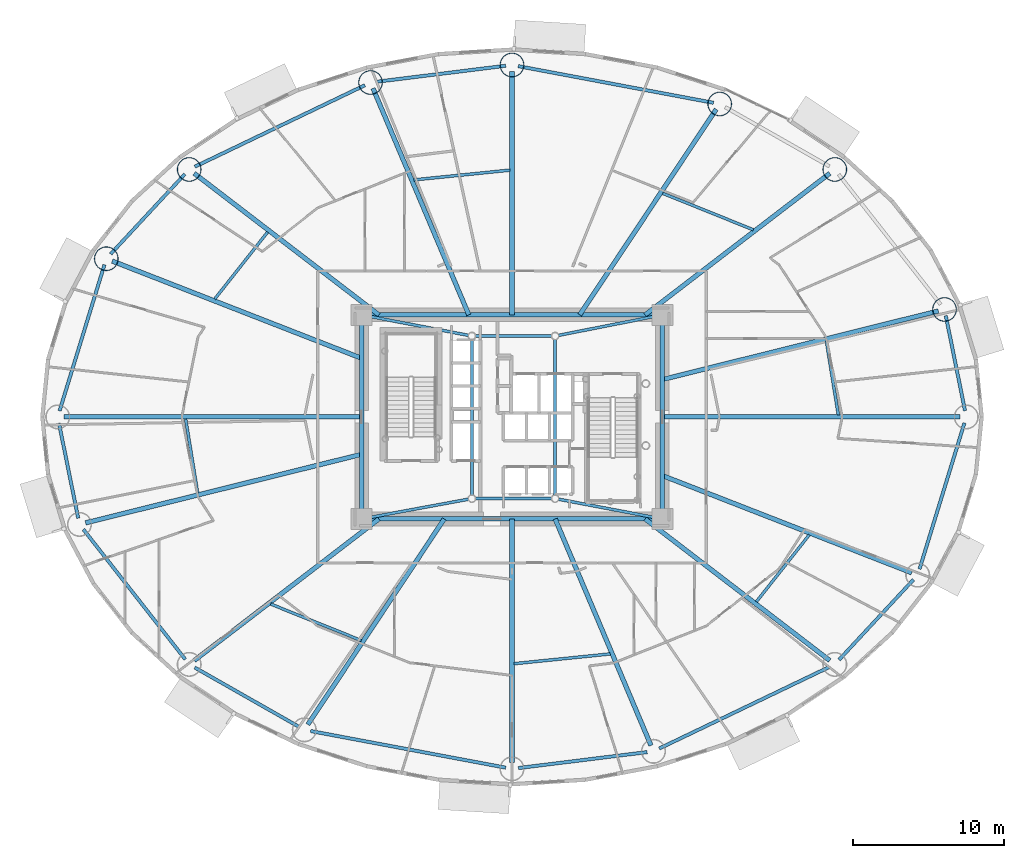
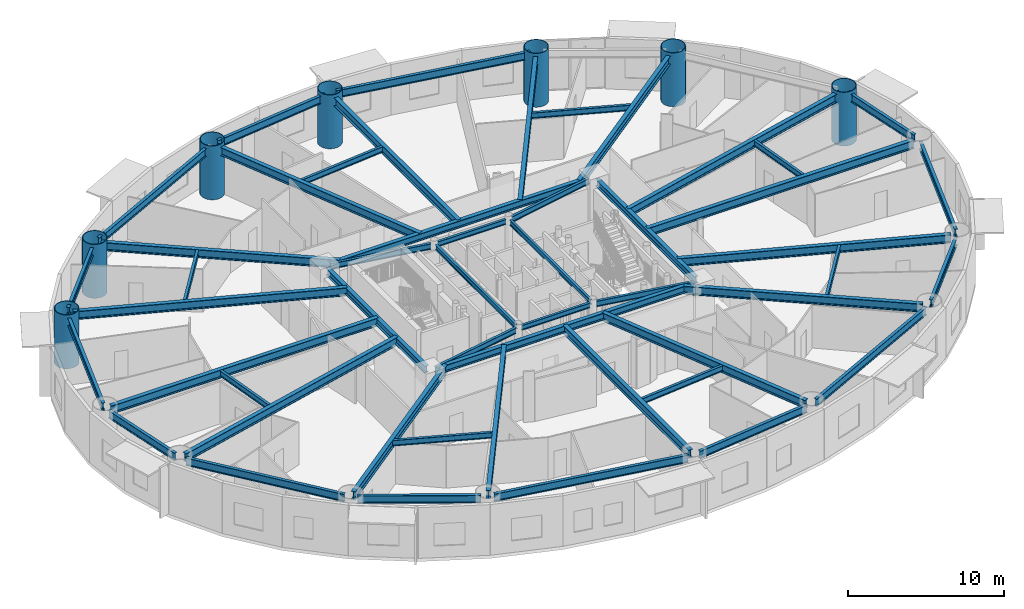
# One storey, part 3 of 21: 50 beams, 7 columns.
"""IFC4 building model written with IfcOpenShell, lengths in metres."""

from ifc_helpers import new_model, si_unit, direction, frame, origin, origin_2d, place, context, subcontext, project, spatial, hollow_circle, i_section, extrude, material, material_profile, profile_set, type_object, element, save


model = new_model("IFC4")

# Units and contexts
model_context = context("Model", 3, precision=1e-05, world=origin(), true_north=direction((0.0, 1.0)))
body_context = subcontext(model_context, "Body", "Model", "MODEL_VIEW")
ifc_project = project(units=[si_unit("LENGTHUNIT", "METRE"), si_unit("AREAUNIT", "SQUARE_METRE"), si_unit("VOLUMEUNIT", "CUBIC_METRE"), si_unit("PLANEANGLEUNIT", "RADIAN"), si_unit("MASSUNIT", "GRAM", prefix="KILO")], contexts=[model_context])

# Site, building, storey
site_placement = place(None, origin())
site = spatial("IfcSite", under=ifc_project, at=site_placement, CompositionType="ELEMENT")
building_placement = place(site_placement, origin())
building = spatial("IfcBuilding", under=site, at=building_placement, Name="Linh Dai School and Residence Tower", CompositionType="ELEMENT")
storey_placement = place(building_placement, frame((0.0, 0.0, 78.60009765625)))
storey = spatial("IfcBuildingStorey", under=building, at=storey_placement, Name="L18", CompositionType="ELEMENT", Elevation=78.60009765625)

# Columns
ifc_material = material(Name="Structural Steel S355JR", Category="steel")
ifc_material_profile_1 = material_profile(ifc_material, hollow_circle(Radius=0.800048828125, WallThickness=0.044921875, at=origin_2d()), Name="CHS 1600x45")
ifc_profile_set_1 = profile_set([ifc_material_profile_1], Name="Structural Steel S355JR")
column_type = type_object("IfcColumnType", Name="COL-MC2", PredefinedType="COLUMN", material=ifc_profile_set_1)
for number, where, z_axis, x_axis, name in (
    (1, (64.61083984375, 34.108642578125, 0.0), (0.0, 0.0, 1.0), (1.0, 0.0, 0.0), "L18 Perimeter CFT Mega-Column MC02"),
    (2, (57.352783203125, 43.369140625, 0.0), (0.0, 0.0, 1.0), (1.0, 0.0, 0.0), "L18 Perimeter CFT Mega-Column MC03"),
    (3, (49.73828125, 47.69921875, 0.0), (0.0, 0.0, 1.0), (1.0, 0.0, 0.0), "L18 Perimeter CFT Mega-Column MC04"),
    (4, (36.0, 50.280029296875, 0.0), (0.0, 0.0, 1.0), (1.0, 0.0, 0.0), "L18 Perimeter CFT Mega-Column MC05"),
    (5, (26.642333984375, 49.119873046875, 0.0), (0.0, 0.0, 1.0), (1.0, 0.0, 0.0), "L18 Perimeter CFT Mega-Column MC06"),
    (6, (14.647216796875, 43.369140625, 0.0), (0.0, 0.0, 1.0), (1.0, 0.0, 0.0), "L18 Perimeter CFT Mega-Column MC07"),
    (7, (9.16455078125, 37.4638671875, 0.0), (0.0, 0.0, 1.0), (1.0, 0.0, 0.0), "L18 Perimeter CFT Mega-Column MC08"),
):
    element("IfcColumn", number, at=place(storey_placement, frame(where, z_axis=z_axis, x_axis=x_axis)), inside=storey, type_object=column_type, Name=name, PredefinedType="COLUMN", context=body_context, shape_type="SweptSolid", body=[
        extrude(hollow_circle(Radius=0.800048828125, WallThickness=0.044921875, at=origin_2d()), origin(), (0.0, 0.0, 1.0), 4.199951171875),
    ])

# Beams
ifc_material_profile_2 = material_profile(ifc_material, i_section(OverallWidth=0.219970703125, OverallDepth=0.60009765625, WebThickness=0.011962890625, FlangeThickness=0.01904296875, FilletRadius=0.02392578125, at=origin_2d()), Name="IPE 600")
ifc_profile_set_2 = profile_set([ifc_material_profile_2], Name="Structural Steel S355JR")
beam_type_1 = type_object("IfcBeamType", Name="BM-RB60", PredefinedType="BEAM", material=ifc_profile_set_2)
beam_1_placement = place(storey_placement, frame((65.966552734375, 27.41162109375, 3.64990234375), z_axis=(-0.198429171022, 0.980115230005, 0.0), x_axis=(-0.980115230005, -0.198429171022, 0.0)))
element("IfcBeam", 8, at=beam_1_placement, inside=storey, type_object=beam_type_1, Name="L18 Perimeter Elliptical Ring Beam 01", PredefinedType="BEAM", context=body_context, shape_type="SweptSolid", body=[
    extrude(i_section(OverallWidth=0.219970703125, OverallDepth=0.60009765625, WebThickness=0.011962890625, FlangeThickness=0.01904296875, FilletRadius=0.02392578125, at=origin_2d()), origin(), (0.0, 0.0, 1.0), 6.41259765625),
])
beam_2_placement = place(storey_placement, frame((49.32568359375, 47.776611328125, 3.64990234375), z_axis=(-0.982808389171, 0.184628465236, 0.0), x_axis=(-0.184628465236, -0.982808389171, 0.0)))
element("IfcBeam", 9, at=beam_2_placement, inside=storey, type_object=beam_type_1, Name="L18 Perimeter Elliptical Ring Beam 04", PredefinedType="BEAM", context=body_context, shape_type="SweptSolid", body=[
    extrude(i_section(OverallWidth=0.219970703125, OverallDepth=0.60009765625, WebThickness=0.011962890625, FlangeThickness=0.01904296875, FilletRadius=0.02392578125, at=origin_2d()), origin(), (0.0, 0.0, 1.0), 13.138671875),
])
beam_3_placement = place(storey_placement, frame((35.583251953125, 50.228271484375, 3.64990234375), z_axis=(-0.99240113372, -0.123044665842, 0.0), x_axis=(0.123044665842, -0.99240113372, 0.0)))
element("IfcBeam", 10, at=beam_3_placement, inside=storey, type_object=beam_type_1, Name="L18 Perimeter Elliptical Ring Beam 05", PredefinedType="BEAM", context=body_context, shape_type="SweptSolid", body=[
    extrude(i_section(OverallWidth=0.219970703125, OverallDepth=0.60009765625, WebThickness=0.011962890625, FlangeThickness=0.01904296875, FilletRadius=0.02392578125, at=origin_2d()), origin(), (0.0, 0.0, 1.0), 8.58935546875),
])
beam_4_placement = place(storey_placement, frame((26.263427734375, 48.938232421875, 3.64990234375), z_axis=(-0.901728693485, -0.432302398034, 0.0), x_axis=(0.432302398034, -0.901728693485, 0.0)))
element("IfcBeam", 11, at=beam_4_placement, inside=storey, type_object=beam_type_1, Name="L18 Perimeter Elliptical Ring Beam 06", PredefinedType="BEAM", context=body_context, shape_type="SweptSolid", body=[
    extrude(i_section(OverallWidth=0.219970703125, OverallDepth=0.60009765625, WebThickness=0.011962890625, FlangeThickness=0.01904296875, FilletRadius=0.02392578125, at=origin_2d()), origin(), (0.0, 0.0, 1.0), 12.462158203125),
])
beam_5_placement = place(storey_placement, frame((14.361572265625, 43.061279296875, 3.64990234375), z_axis=(-0.680408287194, -0.732833243458, 0.0), x_axis=(0.732833243458, -0.680408287194, 0.0)))
element("IfcBeam", 12, at=beam_5_placement, inside=storey, type_object=beam_type_1, Name="L18 Perimeter Elliptical Ring Beam 07", PredefinedType="BEAM", context=body_context, shape_type="SweptSolid", body=[
    extrude(i_section(OverallWidth=0.219970703125, OverallDepth=0.60009765625, WebThickness=0.011962890625, FlangeThickness=0.01904296875, FilletRadius=0.02392578125, at=origin_2d()), origin(), (0.0, 0.0, 1.0), 7.21826171875),
])
beam_6_placement = place(storey_placement, frame((9.041259765625, 37.062255859375, 3.64990234375), z_axis=(-0.293673329015, -0.95590584046, 0.0), x_axis=(0.95590584046, -0.293673329015, 0.0)))
element("IfcBeam", 13, at=beam_6_placement, inside=storey, type_object=beam_type_1, Name="L18 Perimeter Elliptical Ring Beam 08", PredefinedType="BEAM", context=body_context, shape_type="SweptSolid", body=[
    extrude(i_section(OverallWidth=0.219970703125, OverallDepth=0.60009765625, WebThickness=0.011962890625, FlangeThickness=0.01904296875, FilletRadius=0.02392578125, at=origin_2d()), origin(), (0.0, 0.0, 1.0), 10.1064453125),
])
beam_7_placement = place(storey_placement, frame((6.033447265625, 26.58837890625, 3.64990234375), z_axis=(0.198429171022, -0.980115230005, 0.0), x_axis=(0.980115230005, 0.198429171022, 0.0)))
element("IfcBeam", 14, at=beam_7_placement, inside=storey, type_object=beam_type_1, Name="L18 Perimeter Elliptical Ring Beam 09", PredefinedType="BEAM", context=body_context, shape_type="SweptSolid", body=[
    extrude(i_section(OverallWidth=0.219970703125, OverallDepth=0.60009765625, WebThickness=0.011962890625, FlangeThickness=0.01904296875, FilletRadius=0.02392578125, at=origin_2d()), origin(), (0.0, 0.0, 1.0), 6.41259765625),
])
beam_8_placement = place(storey_placement, frame((7.648193359375, 19.560791015625, 3.64990234375), z_axis=(0.616878670407, -0.787058260866, 0.0), x_axis=(0.787058260866, 0.616878670407, 0.0)))
element("IfcBeam", 15, at=beam_8_placement, inside=storey, type_object=beam_type_1, Name="L18 Perimeter Elliptical Ring Beam 10", PredefinedType="BEAM", context=body_context, shape_type="SweptSolid", body=[
    extrude(i_section(OverallWidth=0.219970703125, OverallDepth=0.60009765625, WebThickness=0.011962890625, FlangeThickness=0.01904296875, FilletRadius=0.02392578125, at=origin_2d()), origin(), (0.0, 0.0, 1.0), 10.926025390625),
])
beam_9_placement = place(storey_placement, frame((15.012451171875, 10.42333984375, 3.64990234375), z_axis=(0.869271416992, -0.494335112653, 0.0), x_axis=(0.494335112653, 0.869271416992, 0.0)))
element("IfcBeam", 16, at=beam_9_placement, inside=storey, type_object=beam_type_1, Name="L18 Perimeter Elliptical Ring Beam 11", PredefinedType="BEAM", context=body_context, shape_type="SweptSolid", body=[
    extrude(i_section(OverallWidth=0.219970703125, OverallDepth=0.60009765625, WebThickness=0.011962890625, FlangeThickness=0.01904296875, FilletRadius=0.02392578125, at=origin_2d()), origin(), (0.0, 0.0, 1.0), 7.91943359375),
])
beam_10_placement = place(storey_placement, frame((22.67431640625, 6.223388671875, 3.64990234375), z_axis=(0.982808389171, -0.184628465236, 0.0), x_axis=(0.184628465236, 0.982808389171, 0.0)))
element("IfcBeam", 17, at=beam_10_placement, inside=storey, type_object=beam_type_1, Name="L18 Perimeter Elliptical Ring Beam 12", PredefinedType="BEAM", context=body_context, shape_type="SweptSolid", body=[
    extrude(i_section(OverallWidth=0.219970703125, OverallDepth=0.60009765625, WebThickness=0.011962890625, FlangeThickness=0.01904296875, FilletRadius=0.02392578125, at=origin_2d()), origin(), (0.0, 0.0, 1.0), 13.138671875),
])
beam_11_placement = place(storey_placement, frame((36.416748046875, 3.771728515625, 3.64990234375), z_axis=(0.99240113372, 0.123044665842, 0.0), x_axis=(-0.123044665842, 0.99240113372, 0.0)))
element("IfcBeam", 18, at=beam_11_placement, inside=storey, type_object=beam_type_1, Name="L18 Perimeter Elliptical Ring Beam 13", PredefinedType="BEAM", context=body_context, shape_type="SweptSolid", body=[
    extrude(i_section(OverallWidth=0.219970703125, OverallDepth=0.60009765625, WebThickness=0.011962890625, FlangeThickness=0.01904296875, FilletRadius=0.02392578125, at=origin_2d()), origin(), (0.0, 0.0, 1.0), 8.58935546875),
])
beam_12_placement = place(storey_placement, frame((45.736572265625, 5.061767578125, 3.64990234375), z_axis=(0.901728693485, 0.432302398034, 0.0), x_axis=(-0.432302398034, 0.901728693485, 0.0)))
element("IfcBeam", 19, at=beam_12_placement, inside=storey, type_object=beam_type_1, Name="L18 Perimeter Elliptical Ring Beam 14", PredefinedType="BEAM", context=body_context, shape_type="SweptSolid", body=[
    extrude(i_section(OverallWidth=0.219970703125, OverallDepth=0.60009765625, WebThickness=0.011962890625, FlangeThickness=0.01904296875, FilletRadius=0.02392578125, at=origin_2d()), origin(), (0.0, 0.0, 1.0), 12.462158203125),
])
beam_13_placement = place(storey_placement, frame((57.638427734375, 10.938720703125, 3.64990234375), z_axis=(0.680408287194, 0.732833243458, 0.0), x_axis=(-0.732833243458, 0.680408287194, 0.0)))
element("IfcBeam", 20, at=beam_13_placement, inside=storey, type_object=beam_type_1, Name="L18 Perimeter Elliptical Ring Beam 15", PredefinedType="BEAM", context=body_context, shape_type="SweptSolid", body=[
    extrude(i_section(OverallWidth=0.219970703125, OverallDepth=0.60009765625, WebThickness=0.011962890625, FlangeThickness=0.01904296875, FilletRadius=0.02392578125, at=origin_2d()), origin(), (0.0, 0.0, 1.0), 7.21826171875),
])
beam_14_placement = place(storey_placement, frame((62.958740234375, 16.937744140625, 3.64990234375), z_axis=(0.293673329015, 0.95590584046, 0.0), x_axis=(-0.95590584046, 0.293673329015, 0.0)))
element("IfcBeam", 21, at=beam_14_placement, inside=storey, type_object=beam_type_1, Name="L18 Perimeter Elliptical Ring Beam 16", PredefinedType="BEAM", context=body_context, shape_type="SweptSolid", body=[
    extrude(i_section(OverallWidth=0.219970703125, OverallDepth=0.60009765625, WebThickness=0.011962890625, FlangeThickness=0.01904296875, FilletRadius=0.02392578125, at=origin_2d()), origin(), (0.0, 0.0, 1.0), 10.1064453125),
])
ifc_material_profile_3 = material_profile(ifc_material, i_section(OverallWidth=0.300048828125, OverallDepth=0.550048828125, WebThickness=0.014892578125, FlangeThickness=0.029052734375, FilletRadius=0.027099609375, at=origin_2d()), Name="HEB 550")
ifc_profile_set_3 = profile_set([ifc_material_profile_3], Name="Structural Steel S355JR")
beam_type_2 = type_object("IfcBeamType", Name="BM-RG55", PredefinedType="BEAM", material=ifc_profile_set_3)
beam_15_placement = place(storey_placement, frame((26.469970703125, 20.25, 3.6748046875), z_axis=(1.0, 0.0, 0.0), x_axis=(0.0, 1.0, 0.0)))
element("IfcBeam", 22, at=beam_15_placement, inside=storey, type_object=beam_type_2, Name="L18 Core Perimeter Coupling Girder 1", PredefinedType="BEAM", context=body_context, shape_type="SweptSolid", body=[
    extrude(i_section(OverallWidth=0.300048828125, OverallDepth=0.550048828125, WebThickness=0.014892578125, FlangeThickness=0.029052734375, FilletRadius=0.027099609375, at=origin_2d()), origin(), (0.0, 0.0, 1.0), 19.06005859375),
])
beam_16_placement = place(storey_placement, frame((45.949951171875, 20.669921875, 3.6748046875), z_axis=(0.0, 1.0, 0.0), x_axis=(-1.0, 0.0, 0.0)))
element("IfcBeam", 23, at=beam_16_placement, inside=storey, type_object=beam_type_2, Name="L18 Core Perimeter Coupling Girder 2", PredefinedType="BEAM", context=body_context, shape_type="SweptSolid", body=[
    extrude(i_section(OverallWidth=0.300048828125, OverallDepth=0.550048828125, WebThickness=0.014892578125, FlangeThickness=0.029052734375, FilletRadius=0.027099609375, at=origin_2d()), origin(), (0.0, 0.0, 1.0), 12.66015625),
])
beam_17_placement = place(storey_placement, frame((45.530029296875, 33.75, 3.6748046875), z_axis=(-1.0, 0.0, 0.0), x_axis=(0.0, -1.0, 0.0)))
element("IfcBeam", 24, at=beam_17_placement, inside=storey, type_object=beam_type_2, Name="L18 Core Perimeter Coupling Girder 3", PredefinedType="BEAM", context=body_context, shape_type="SweptSolid", body=[
    extrude(i_section(OverallWidth=0.300048828125, OverallDepth=0.550048828125, WebThickness=0.014892578125, FlangeThickness=0.029052734375, FilletRadius=0.027099609375, at=origin_2d()), origin(), (0.0, 0.0, 1.0), 19.06005859375),
])
beam_18_placement = place(storey_placement, frame((26.050048828125, 33.330078125, 3.6748046875), z_axis=(0.0, -1.0, 0.0), x_axis=(1.0, 0.0, 0.0)))
element("IfcBeam", 25, at=beam_18_placement, inside=storey, type_object=beam_type_2, Name="L18 Core Perimeter Coupling Girder 4", PredefinedType="BEAM", context=body_context, shape_type="SweptSolid", body=[
    extrude(i_section(OverallWidth=0.300048828125, OverallDepth=0.550048828125, WebThickness=0.014892578125, FlangeThickness=0.029052734375, FilletRadius=0.027099609375, at=origin_2d()), origin(), (0.0, 0.0, 1.0), 12.66015625),
])
ifc_material_profile_4 = material_profile(ifc_material, i_section(OverallWidth=0.300048828125, OverallDepth=0.64990234375, WebThickness=0.01611328125, FlangeThickness=0.031005859375, FilletRadius=0.027099609375, at=origin_2d()), Name="HEB 650")
ifc_profile_set_4 = profile_set([ifc_material_profile_4], Name="Structural Steel S355JR")
beam_type_3 = type_object("IfcBeamType", Name="BM-RG65", PredefinedType="BEAM", material=ifc_profile_set_4)
beam_19_placement = place(storey_placement, frame((45.949951171875, 27.0, 3.625), z_axis=(1.0, 0.0, 0.0), x_axis=(0.0, 1.0, 0.0)))
element("IfcBeam", 26, at=beam_19_placement, inside=storey, type_object=beam_type_3, Name="L18 Primary Radial Floor Girder 01", PredefinedType="BEAM", context=body_context, shape_type="SweptSolid", body=[
    extrude(i_section(OverallWidth=0.300048828125, OverallDepth=0.64990234375, WebThickness=0.01611328125, FlangeThickness=0.031005859375, FilletRadius=0.027099609375, at=origin_2d()), origin(), (0.0, 0.0, 1.0), 19.679931640625),
])
beam_20_placement = place(storey_placement, frame((45.949951171875, 29.47216796875, 3.625), z_axis=(0.970493481328, 0.241127357843, 0.0), x_axis=(-0.241127357843, 0.970493481328, 0.0)))
element("IfcBeam", 27, at=beam_20_placement, inside=storey, type_object=beam_type_3, Name="L18 Primary Radial Floor Girder 02", PredefinedType="BEAM", context=body_context, shape_type="SweptSolid", body=[
    extrude(i_section(OverallWidth=0.300048828125, OverallDepth=0.64990234375, WebThickness=0.01611328125, FlangeThickness=0.031005859375, FilletRadius=0.027099609375, at=origin_2d()), origin(), (0.0, 0.0, 1.0), 18.80810546875),
])
beam_21_placement = place(storey_placement, frame((44.804931640625, 33.75, 3.625), z_axis=(0.793637764155, 0.608390581212, 0.0), x_axis=(-0.608390581212, 0.793637764155, 0.0)))
element("IfcBeam", 28, at=beam_21_placement, inside=storey, type_object=beam_type_3, Name="L18 Primary Radial Floor Girder 03", PredefinedType="BEAM", context=body_context, shape_type="SweptSolid", body=[
    extrude(i_section(OverallWidth=0.300048828125, OverallDepth=0.64990234375, WebThickness=0.01611328125, FlangeThickness=0.031005859375, FilletRadius=0.027099609375, at=origin_2d()), origin(), (0.0, 0.0, 1.0), 15.390625),
])
beam_22_placement = place(storey_placement, frame((40.47998046875, 33.75, 3.625), z_axis=(0.55300421354, 0.833178456158, 0.0), x_axis=(-0.833178456158, 0.55300421354, 0.0)))
element("IfcBeam", 29, at=beam_22_placement, inside=storey, type_object=beam_type_3, Name="L18 Primary Radial Floor Girder 04", PredefinedType="BEAM", context=body_context, shape_type="SweptSolid", body=[
    extrude(i_section(OverallWidth=0.300048828125, OverallDepth=0.64990234375, WebThickness=0.01611328125, FlangeThickness=0.031005859375, FilletRadius=0.027099609375, at=origin_2d()), origin(), (0.0, 0.0, 1.0), 16.322021484375),
])
beam_23_placement = place(storey_placement, frame((36.0, 33.75, 3.625), z_axis=(0.0, 1.0, 0.0), x_axis=(-1.0, 0.0, 0.0)))
element("IfcBeam", 30, at=beam_23_placement, inside=storey, type_object=beam_type_3, Name="L18 Primary Radial Floor Girder 05", PredefinedType="BEAM", context=body_context, shape_type="SweptSolid", body=[
    extrude(i_section(OverallWidth=0.300048828125, OverallDepth=0.64990234375, WebThickness=0.01611328125, FlangeThickness=0.031005859375, FilletRadius=0.027099609375, at=origin_2d()), origin(), (0.0, 0.0, 1.0), 16.110107421875),
])
beam_24_placement = place(storey_placement, frame((33.14453125, 33.75, 3.625), z_axis=(-0.38962432485, 0.920973878829, 0.0), x_axis=(-0.920973878829, -0.38962432485, 0.0)))
element("IfcBeam", 31, at=beam_24_placement, inside=storey, type_object=beam_type_3, Name="L18 Primary Radial Floor Girder 06", PredefinedType="BEAM", context=body_context, shape_type="SweptSolid", body=[
    extrude(i_section(OverallWidth=0.300048828125, OverallDepth=0.64990234375, WebThickness=0.01611328125, FlangeThickness=0.031005859375, FilletRadius=0.027099609375, at=origin_2d()), origin(), (0.0, 0.0, 1.0), 16.2685546875),
])
beam_25_placement = place(storey_placement, frame((27.195068359375, 33.75, 3.625), z_axis=(-0.793637764155, 0.608390581212, 0.0), x_axis=(-0.608390581212, -0.793637764155, 0.0)))
element("IfcBeam", 32, at=beam_25_placement, inside=storey, type_object=beam_type_3, Name="L18 Primary Radial Floor Girder 07", PredefinedType="BEAM", context=body_context, shape_type="SweptSolid", body=[
    extrude(i_section(OverallWidth=0.300048828125, OverallDepth=0.64990234375, WebThickness=0.01611328125, FlangeThickness=0.031005859375, FilletRadius=0.027099609375, at=origin_2d()), origin(), (0.0, 0.0, 1.0), 15.390625),
])
beam_26_placement = place(storey_placement, frame((26.050048828125, 30.879638671875, 3.625), z_axis=(-0.93167509369, 0.363292609061, 0.0), x_axis=(-0.363292609061, -0.93167509369, 0.0)))
element("IfcBeam", 33, at=beam_26_placement, inside=storey, type_object=beam_type_3, Name="L18 Primary Radial Floor Girder 08", PredefinedType="BEAM", context=body_context, shape_type="SweptSolid", body=[
    extrude(i_section(OverallWidth=0.300048828125, OverallDepth=0.64990234375, WebThickness=0.01611328125, FlangeThickness=0.031005859375, FilletRadius=0.027099609375, at=origin_2d()), origin(), (0.0, 0.0, 1.0), 17.703857421875),
])
beam_27_placement = place(storey_placement, frame((26.050048828125, 27.0, 3.625), z_axis=(-1.0, 0.0, 0.0), x_axis=(0.0, -1.0, 0.0)))
element("IfcBeam", 34, at=beam_27_placement, inside=storey, type_object=beam_type_3, Name="L18 Primary Radial Floor Girder 09", PredefinedType="BEAM", context=body_context, shape_type="SweptSolid", body=[
    extrude(i_section(OverallWidth=0.300048828125, OverallDepth=0.64990234375, WebThickness=0.01611328125, FlangeThickness=0.031005859375, FilletRadius=0.027099609375, at=origin_2d()), origin(), (0.0, 0.0, 1.0), 19.679931640625),
])
beam_28_placement = place(storey_placement, frame((26.050048828125, 24.52783203125, 3.625), z_axis=(-0.970493481328, -0.241127357843, 0.0), x_axis=(0.241127357843, -0.970493481328, 0.0)))
element("IfcBeam", 35, at=beam_28_placement, inside=storey, type_object=beam_type_3, Name="L18 Primary Radial Floor Girder 10", PredefinedType="BEAM", context=body_context, shape_type="SweptSolid", body=[
    extrude(i_section(OverallWidth=0.300048828125, OverallDepth=0.64990234375, WebThickness=0.01611328125, FlangeThickness=0.031005859375, FilletRadius=0.027099609375, at=origin_2d()), origin(), (0.0, 0.0, 1.0), 18.80810546875),
])
beam_29_placement = place(storey_placement, frame((27.195068359375, 20.25, 3.625), z_axis=(-0.793637764155, -0.608390581212, 0.0), x_axis=(0.608390581212, -0.793637764155, 0.0)))
element("IfcBeam", 36, at=beam_29_placement, inside=storey, type_object=beam_type_3, Name="L18 Primary Radial Floor Girder 11", PredefinedType="BEAM", context=body_context, shape_type="SweptSolid", body=[
    extrude(i_section(OverallWidth=0.300048828125, OverallDepth=0.64990234375, WebThickness=0.01611328125, FlangeThickness=0.031005859375, FilletRadius=0.027099609375, at=origin_2d()), origin(), (0.0, 0.0, 1.0), 15.390625),
])
beam_30_placement = place(storey_placement, frame((31.52001953125, 20.25, 3.625), z_axis=(-0.55300421354, -0.833178456158, 0.0), x_axis=(0.833178456158, -0.55300421354, 0.0)))
element("IfcBeam", 37, at=beam_30_placement, inside=storey, type_object=beam_type_3, Name="L18 Primary Radial Floor Girder 12", PredefinedType="BEAM", context=body_context, shape_type="SweptSolid", body=[
    extrude(i_section(OverallWidth=0.300048828125, OverallDepth=0.64990234375, WebThickness=0.01611328125, FlangeThickness=0.031005859375, FilletRadius=0.027099609375, at=origin_2d()), origin(), (0.0, 0.0, 1.0), 16.322021484375),
])
beam_31_placement = place(storey_placement, frame((36.0, 20.25, 3.625), z_axis=(0.0, -1.0, 0.0), x_axis=(1.0, 0.0, 0.0)))
element("IfcBeam", 38, at=beam_31_placement, inside=storey, type_object=beam_type_3, Name="L18 Primary Radial Floor Girder 13", PredefinedType="BEAM", context=body_context, shape_type="SweptSolid", body=[
    extrude(i_section(OverallWidth=0.300048828125, OverallDepth=0.64990234375, WebThickness=0.01611328125, FlangeThickness=0.031005859375, FilletRadius=0.027099609375, at=origin_2d()), origin(), (0.0, 0.0, 1.0), 16.110107421875),
])
beam_32_placement = place(storey_placement, frame((38.85546875, 20.25, 3.625), z_axis=(0.38962432485, -0.920973878829, 0.0), x_axis=(0.920973878829, 0.38962432485, 0.0)))
element("IfcBeam", 39, at=beam_32_placement, inside=storey, type_object=beam_type_3, Name="L18 Primary Radial Floor Girder 14", PredefinedType="BEAM", context=body_context, shape_type="SweptSolid", body=[
    extrude(i_section(OverallWidth=0.300048828125, OverallDepth=0.64990234375, WebThickness=0.01611328125, FlangeThickness=0.031005859375, FilletRadius=0.027099609375, at=origin_2d()), origin(), (0.0, 0.0, 1.0), 16.2685546875),
])
beam_33_placement = place(storey_placement, frame((44.804931640625, 20.25, 3.625), z_axis=(0.793637764155, -0.608390581212, 0.0), x_axis=(0.608390581212, 0.793637764155, 0.0)))
element("IfcBeam", 40, at=beam_33_placement, inside=storey, type_object=beam_type_3, Name="L18 Primary Radial Floor Girder 15", PredefinedType="BEAM", context=body_context, shape_type="SweptSolid", body=[
    extrude(i_section(OverallWidth=0.300048828125, OverallDepth=0.64990234375, WebThickness=0.01611328125, FlangeThickness=0.031005859375, FilletRadius=0.027099609375, at=origin_2d()), origin(), (0.0, 0.0, 1.0), 15.390625),
])
beam_34_placement = place(storey_placement, frame((45.949951171875, 23.120361328125, 3.625), z_axis=(0.93167509369, -0.363292609061, 0.0), x_axis=(0.363292609061, 0.93167509369, 0.0)))
element("IfcBeam", 41, at=beam_34_placement, inside=storey, type_object=beam_type_3, Name="L18 Primary Radial Floor Girder 16", PredefinedType="BEAM", context=body_context, shape_type="SweptSolid", body=[
    extrude(i_section(OverallWidth=0.300048828125, OverallDepth=0.64990234375, WebThickness=0.01611328125, FlangeThickness=0.031005859375, FilletRadius=0.027099609375, at=origin_2d()), origin(), (0.0, 0.0, 1.0), 17.703857421875),
])
ifc_material_profile_5 = material_profile(ifc_material, i_section(OverallWidth=0.179931640625, OverallDepth=0.39990234375, WebThickness=0.008544921875, FlangeThickness=0.013427734375, FilletRadius=0.02099609375, at=origin_2d()), Name="IPE 400")
ifc_profile_set_5 = profile_set([ifc_material_profile_5], Name="Structural Steel S355JR")
beam_type_4 = type_object("IfcBeamType", Name="BM-SB40", PredefinedType="BEAM", material=ifc_profile_set_5)
beam_35_placement = place(storey_placement, frame((33.573974609375, 21.60009765625, 3.75), z_axis=(1.0, 0.0, 0.0), x_axis=(0.0, 1.0, 0.0)))
element("IfcBeam", 42, at=beam_35_placement, inside=storey, type_object=beam_type_4, Name="L18 Core Mast Pier Tie Beam 1", PredefinedType="BEAM", context=body_context, shape_type="SweptSolid", body=[
    extrude(i_section(OverallWidth=0.179931640625, OverallDepth=0.39990234375, WebThickness=0.008544921875, FlangeThickness=0.013427734375, FilletRadius=0.02099609375, at=origin_2d()), origin(), (0.0, 0.0, 1.0), 5.052001953125),
])
beam_36_placement = place(storey_placement, frame((38.85009765625, 21.823974609375, 3.75), z_axis=(0.0, 1.0, 0.0), x_axis=(-1.0, 0.0, 0.0)))
element("IfcBeam", 43, at=beam_36_placement, inside=storey, type_object=beam_type_4, Name="L18 Core Mast Pier Tie Beam 2", PredefinedType="BEAM", context=body_context, shape_type="SweptSolid", body=[
    extrude(i_section(OverallWidth=0.179931640625, OverallDepth=0.39990234375, WebThickness=0.008544921875, FlangeThickness=0.013427734375, FilletRadius=0.02099609375, at=origin_2d()), origin(), (0.0, 0.0, 1.0), 10.302001953125),
])
beam_37_placement = place(storey_placement, frame((38.6259765625, 32.35009765625, 3.75), z_axis=(-1.0, 0.0, 0.0), x_axis=(0.0, -1.0, 0.0)))
element("IfcBeam", 44, at=beam_37_placement, inside=storey, type_object=beam_type_4, Name="L18 Core Mast Pier Tie Beam 3", PredefinedType="BEAM", context=body_context, shape_type="SweptSolid", body=[
    extrude(i_section(OverallWidth=0.179931640625, OverallDepth=0.39990234375, WebThickness=0.008544921875, FlangeThickness=0.013427734375, FilletRadius=0.02099609375, at=origin_2d()), origin(), (0.0, 0.0, 1.0), 5.052001953125),
])
beam_38_placement = place(storey_placement, frame((33.35009765625, 32.1259765625, 3.75), z_axis=(0.0, -1.0, 0.0), x_axis=(1.0, 0.0, 0.0)))
element("IfcBeam", 45, at=beam_38_placement, inside=storey, type_object=beam_type_4, Name="L18 Core Mast Pier Tie Beam 4", PredefinedType="BEAM", context=body_context, shape_type="SweptSolid", body=[
    extrude(i_section(OverallWidth=0.179931640625, OverallDepth=0.39990234375, WebThickness=0.008544921875, FlangeThickness=0.013427734375, FilletRadius=0.02099609375, at=origin_2d()), origin(), (0.0, 0.0, 1.0), 10.302001953125),
])
ifc_material_profile_6 = material_profile(ifc_material, i_section(OverallWidth=0.18994140625, OverallDepth=0.449951171875, WebThickness=0.009521484375, FlangeThickness=0.0146484375, FilletRadius=0.02099609375, at=origin_2d()), Name="IPE 450")
ifc_profile_set_6 = profile_set([ifc_material_profile_6], Name="Structural Steel S355JR")
beam_type_5 = type_object("IfcBeamType", Name="BM-SB45", PredefinedType="BEAM", material=ifc_profile_set_6)
beam_39_placement = place(storey_placement, frame((26.462890625, 20.326416015625, 3.724853515625), z_axis=(0.983326152819, 0.18185070025, 0.0), x_axis=(-0.18185070025, 0.983326152819, 0.0)))
element("IfcBeam", 46, at=beam_39_placement, inside=storey, type_object=beam_type_5, Name="L18 Core Corner-to-Mast Pier Beam 1", PredefinedType="BEAM", context=body_context, shape_type="SweptSolid", body=[
    extrude(i_section(OverallWidth=0.18994140625, OverallDepth=0.449951171875, WebThickness=0.009521484375, FlangeThickness=0.0146484375, FilletRadius=0.02099609375, at=origin_2d()), origin(), (0.0, 0.0, 1.0), 6.77978515625),
])
beam_40_placement = place(storey_placement, frame((45.537353515625, 20.328369140625, 3.724853515625), z_axis=(-0.982397918823, 0.186800238471, 0.0), x_axis=(-0.186800238471, -0.982397918823, 0.0)))
element("IfcBeam", 47, at=beam_40_placement, inside=storey, type_object=beam_type_5, Name="L18 Core Corner-to-Mast Pier Beam 2", PredefinedType="BEAM", context=body_context, shape_type="SweptSolid", body=[
    extrude(i_section(OverallWidth=0.18994140625, OverallDepth=0.449951171875, WebThickness=0.009521484375, FlangeThickness=0.0146484375, FilletRadius=0.02099609375, at=origin_2d()), origin(), (0.0, 0.0, 1.0), 6.583251953125),
])
beam_41_placement = place(storey_placement, frame((45.537841796875, 33.668701171875, 3.724853515625), z_axis=(-0.981108354988, -0.193459028666, 0.0), x_axis=(0.193459028666, -0.981108354988, 0.0)))
element("IfcBeam", 48, at=beam_41_placement, inside=storey, type_object=beam_type_5, Name="L18 Core Corner-to-Mast Pier Beam 3", PredefinedType="BEAM", context=body_context, shape_type="SweptSolid", body=[
    extrude(i_section(OverallWidth=0.18994140625, OverallDepth=0.449951171875, WebThickness=0.009521484375, FlangeThickness=0.0146484375, FilletRadius=0.02099609375, at=origin_2d()), origin(), (0.0, 0.0, 1.0), 6.592529296875),
])
beam_42_placement = place(storey_placement, frame((26.46240234375, 33.6708984375, 3.724853515625), z_axis=(0.982100456787, -0.188357884832, 0.0), x_axis=(0.188357884832, 0.982100456787, 0.0)))
element("IfcBeam", 49, at=beam_42_placement, inside=storey, type_object=beam_type_5, Name="L18 Core Corner-to-Mast Pier Beam 4", PredefinedType="BEAM", context=body_context, shape_type="SweptSolid", body=[
    extrude(i_section(OverallWidth=0.18994140625, OverallDepth=0.449951171875, WebThickness=0.009521484375, FlangeThickness=0.0146484375, FilletRadius=0.02099609375, at=origin_2d()), origin(), (0.0, 0.0, 1.0), 6.789306640625),
])
beam_43_placement = place(storey_placement, frame((57.587158203125, 27.12841796875, 3.724853515625), z_axis=(-0.159655745546, 0.987172752316, 0.0), x_axis=(-0.987172752316, -0.159655745546, 0.0)))
element("IfcBeam", 50, at=beam_43_placement, inside=storey, type_object=beam_type_5, Name="L18 Secondary Circumferential Floor Beam 01", PredefinedType="BEAM", context=body_context, shape_type="SweptSolid", body=[
    extrude(i_section(OverallWidth=0.18994140625, OverallDepth=0.449951171875, WebThickness=0.009521484375, FlangeThickness=0.0146484375, FilletRadius=0.02099609375, at=origin_2d()), origin(), (0.0, 0.0, 1.0), 4.96826171875),
])
beam_44_placement = place(storey_placement, frame((51.962158203125, 39.377685546875, 3.724853515625), z_axis=(-0.927532778422, 0.3737418159, 0.0), x_axis=(-0.3737418159, -0.927532778422, 0.0)))
element("IfcBeam", 51, at=beam_44_placement, inside=storey, type_object=beam_type_5, Name="L18 Secondary Circumferential Floor Beam 02", PredefinedType="BEAM", context=body_context, shape_type="SweptSolid", body=[
    extrude(i_section(OverallWidth=0.18994140625, OverallDepth=0.449951171875, WebThickness=0.009521484375, FlangeThickness=0.0146484375, FilletRadius=0.02099609375, at=origin_2d()), origin(), (0.0, 0.0, 1.0), 6.459716796875),
])
beam_45_placement = place(storey_placement, frame((35.87060546875, 43.32421875, 3.724853515625), z_axis=(-0.994886521003, -0.100999061019, 0.0), x_axis=(0.100999061019, -0.994886521003, 0.0)))
element("IfcBeam", 52, at=beam_45_placement, inside=storey, type_object=beam_type_5, Name="L18 Secondary Circumferential Floor Beam 03", PredefinedType="BEAM", context=body_context, shape_type="SweptSolid", body=[
    extrude(i_section(OverallWidth=0.18994140625, OverallDepth=0.449951171875, WebThickness=0.009521484375, FlangeThickness=0.0146484375, FilletRadius=0.02099609375, at=origin_2d()), origin(), (0.0, 0.0, 1.0), 6.40087890625),
])
beam_46_placement = place(storey_placement, frame((19.836669921875, 39.22705078125, 3.724853515625), z_axis=(-0.620205247605, -0.78443957756, 0.0), x_axis=(0.78443957756, -0.620205247605, 0.0)))
element("IfcBeam", 53, at=beam_46_placement, inside=storey, type_object=beam_type_5, Name="L18 Secondary Circumferential Floor Beam 04", PredefinedType="BEAM", context=body_context, shape_type="SweptSolid", body=[
    extrude(i_section(OverallWidth=0.18994140625, OverallDepth=0.449951171875, WebThickness=0.009521484375, FlangeThickness=0.0146484375, FilletRadius=0.02099609375, at=origin_2d()), origin(), (0.0, 0.0, 1.0), 5.642822265625),
])
beam_47_placement = place(storey_placement, frame((14.412841796875, 26.87158203125, 3.724853515625), z_axis=(0.159655745546, -0.987172752316, 0.0), x_axis=(0.987172752316, 0.159655745546, 0.0)))
element("IfcBeam", 54, at=beam_47_placement, inside=storey, type_object=beam_type_5, Name="L18 Secondary Circumferential Floor Beam 05", PredefinedType="BEAM", context=body_context, shape_type="SweptSolid", body=[
    extrude(i_section(OverallWidth=0.18994140625, OverallDepth=0.449951171875, WebThickness=0.009521484375, FlangeThickness=0.0146484375, FilletRadius=0.02099609375, at=origin_2d()), origin(), (0.0, 0.0, 1.0), 4.96826171875),
])
beam_48_placement = place(storey_placement, frame((20.037841796875, 14.622314453125, 3.724853515625), z_axis=(0.927532778422, -0.3737418159, 0.0), x_axis=(0.3737418159, 0.927532778422, 0.0)))
element("IfcBeam", 55, at=beam_48_placement, inside=storey, type_object=beam_type_5, Name="L18 Secondary Circumferential Floor Beam 06", PredefinedType="BEAM", context=body_context, shape_type="SweptSolid", body=[
    extrude(i_section(OverallWidth=0.18994140625, OverallDepth=0.449951171875, WebThickness=0.009521484375, FlangeThickness=0.0146484375, FilletRadius=0.02099609375, at=origin_2d()), origin(), (0.0, 0.0, 1.0), 6.459716796875),
])
beam_49_placement = place(storey_placement, frame((36.12939453125, 10.67578125, 3.724853515625), z_axis=(0.994886521003, 0.100999061019, 0.0), x_axis=(-0.100999061019, 0.994886521003, 0.0)))
element("IfcBeam", 56, at=beam_49_placement, inside=storey, type_object=beam_type_5, Name="L18 Secondary Circumferential Floor Beam 07", PredefinedType="BEAM", context=body_context, shape_type="SweptSolid", body=[
    extrude(i_section(OverallWidth=0.18994140625, OverallDepth=0.449951171875, WebThickness=0.009521484375, FlangeThickness=0.0146484375, FilletRadius=0.02099609375, at=origin_2d()), origin(), (0.0, 0.0, 1.0), 6.40087890625),
])
beam_50_placement = place(storey_placement, frame((52.163330078125, 14.77294921875, 3.724853515625), z_axis=(0.620205247605, 0.78443957756, 0.0), x_axis=(-0.78443957756, 0.620205247605, 0.0)))
element("IfcBeam", 57, at=beam_50_placement, inside=storey, type_object=beam_type_5, Name="L18 Secondary Circumferential Floor Beam 08", PredefinedType="BEAM", context=body_context, shape_type="SweptSolid", body=[
    extrude(i_section(OverallWidth=0.18994140625, OverallDepth=0.449951171875, WebThickness=0.009521484375, FlangeThickness=0.0146484375, FilletRadius=0.02099609375, at=origin_2d()), origin(), (0.0, 0.0, 1.0), 5.642822265625),
])

save(model, "model.ifc")
